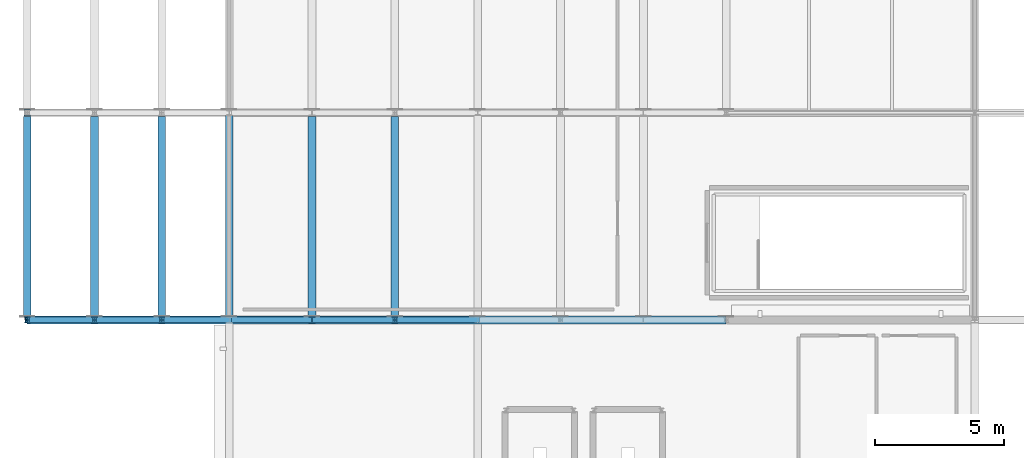
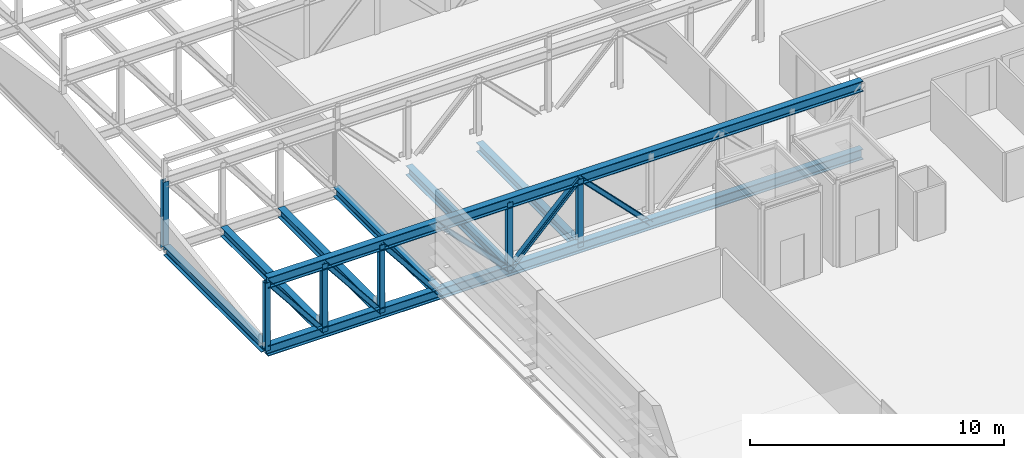
# One storey, part 12 of 34: 12 members, 8 beams.
"""IFC4 building model written with IfcOpenShell, lengths in metres."""

from ifc_helpers import new_model, si_unit, direction, frame, origin, origin_2d, place, context, subcontext, project, spatial, i_section, extrude, material, material_profile, profile_set, type_object, element, save


model = new_model("IFC4")

# Units and contexts
model_context = context("Model", 3, precision=1e-05, world=origin(), true_north=direction((0.0, 1.0)))
body_context = subcontext(model_context, "Body", "Model", "MODEL_VIEW")
ifc_project = project(units=[si_unit("LENGTHUNIT", "METRE"), si_unit("AREAUNIT", "SQUARE_METRE"), si_unit("VOLUMEUNIT", "CUBIC_METRE"), si_unit("PLANEANGLEUNIT", "RADIAN"), si_unit("MASSUNIT", "GRAM", prefix="KILO")], contexts=[model_context])

# Site, building, storey
site_placement = place(None, origin())
site = spatial("IfcSite", under=ifc_project, at=site_placement, CompositionType="ELEMENT")
building_placement = place(site_placement, origin())
building = spatial("IfcBuilding", under=site, at=building_placement, Name="Alderhovde Museum", CompositionType="ELEMENT")
storey_placement = place(building_placement, frame((0.0, 0.0, 25.800048828125)))
storey = spatial("IfcBuildingStorey", under=building, at=storey_placement, Name="L05", CompositionType="ELEMENT", Elevation=25.800048828125)

# Beams
ifc_material_1 = material(Name="Steel S355J2", Category="steel")
ifc_material_profile_1 = material_profile(ifc_material_1, i_section(OverallWidth=0.300048828125, OverallDepth=0.43994140625, WebThickness=0.011474609375, FlangeThickness=0.02099609375, FilletRadius=0.027099609375, at=origin_2d()), Name="HEA 450")
ifc_profile_set_1 = profile_set([ifc_material_profile_1], Name="Steel S355J2")
beam_type_1 = type_object("IfcBeamType", Name="BM-HEA450", PredefinedType="BEAM", material=ifc_profile_set_1)
for number, where, z_axis, x_axis, name in (
    (1, (1.800048828125, 80.14990234375, -0.47998046875), (0.0, 1.0, 0.0), (-1.0, 0.0, 0.0), "L05 Transfer Transverse Beam X=1.8"),
    (2, (4.39990234375, 80.14990234375, -0.47998046875), (0.0, 1.0, 0.0), (-1.0, 0.0, 0.0), "L05 Transfer Transverse Beam X=4.4"),
    (3, (7.0, 80.14990234375, -0.47998046875), (0.0, 1.0, 0.0), (-1.0, 0.0, 0.0), "L05 Transfer Transverse Beam X=7.0"),
):
    element("IfcBeam", number, at=place(storey_placement, frame(where, z_axis=z_axis, x_axis=x_axis)), inside=storey, type_object=beam_type_1, Name=name, PredefinedType="BEAM", context=body_context, shape_type="SweptSolid", body=[
        extrude(i_section(OverallWidth=0.300048828125, OverallDepth=0.43994140625, WebThickness=0.011474609375, FlangeThickness=0.02099609375, FilletRadius=0.027099609375, at=origin_2d()), origin(), (0.0, 0.0, 1.0), 7.7001953125),
    ])
beam_placement = place(storey_placement, frame((9.60009765625, 80.0, -0.47998046875), z_axis=(0.0, 1.0, 0.0), x_axis=(-1.0, 0.0, 0.0)))
element("IfcBeam", 4, at=beam_placement, inside=storey, type_object=beam_type_1, Name="L05 Transfer Transverse Beam X=9.6", PredefinedType="BEAM", context=body_context, shape_type="SweptSolid", body=[
    extrude(i_section(OverallWidth=0.300048828125, OverallDepth=0.43994140625, WebThickness=0.011474609375, FlangeThickness=0.02099609375, FilletRadius=0.027099609375, at=origin_2d()), origin(), (0.0, 0.0, 1.0), 8.0),
])
for number, where, z_axis, x_axis, name in (
    (5, (12.800048828125, 80.14990234375, -0.47998046875), (0.0, 1.0, 0.0), (-1.0, 0.0, 0.0), "L05 Transfer Transverse Beam X=12.8"),
    (6, (16.0, 80.14990234375, -0.47998046875), (0.0, 1.0, 0.0), (-1.0, 0.0, 0.0), "L05 Transfer Transverse Beam X=16.0"),
):
    element("IfcBeam", number, at=place(storey_placement, frame(where, z_axis=z_axis, x_axis=x_axis)), inside=storey, type_object=beam_type_1, Name=name, PredefinedType="BEAM", context=body_context, shape_type="SweptSolid", body=[
        extrude(i_section(OverallWidth=0.300048828125, OverallDepth=0.43994140625, WebThickness=0.011474609375, FlangeThickness=0.02099609375, FilletRadius=0.027099609375, at=origin_2d()), origin(), (0.0, 0.0, 1.0), 7.7001953125),
    ])
ifc_material_2 = material(Name="Steel S355J2", Category="steel")
ifc_material_profile_2 = material_profile(ifc_material_2, i_section(OverallWidth=0.300048828125, OverallDepth=0.5, WebThickness=0.014404296875, FlangeThickness=0.028076171875, FilletRadius=0.027099609375, at=origin_2d()), Name="HEB 500")
ifc_profile_set_2 = profile_set([ifc_material_profile_2], Name="Steel S355J2")
beam_type_2 = type_object("IfcBeamType", Name="BM-HEB500", PredefinedType="BEAM", material=ifc_profile_set_2)
for number, where, z_axis, x_axis, name in (
    (7, (1.800048828125, 80.0, -0.510009765625), (1.0, 0.0, 0.0), (0.0, 1.0, 0.0), "Transfer Truss Y=80 FLR5 Continuous Chord"),
    (8, (1.800048828125, 80.0, 2.75), (1.0, 0.0, 0.0), (0.0, 1.0, 0.0), "Transfer Truss Y=80 TOP Continuous Chord"),
):
    element("IfcBeam", number, at=place(storey_placement, frame(where, z_axis=z_axis, x_axis=x_axis)), inside=storey, type_object=beam_type_2, Name=name, PredefinedType="BEAM", context=body_context, shape_type="SweptSolid", body=[
        extrude(i_section(OverallWidth=0.300048828125, OverallDepth=0.5, WebThickness=0.014404296875, FlangeThickness=0.028076171875, FilletRadius=0.027099609375, at=origin_2d()), origin(), (0.0, 0.0, 1.0), 27.0),
    ])

# Members
ifc_material_3 = material(Name="Steel S355J2", Category="steel")
ifc_material_profile_3 = material_profile(ifc_material_3, i_section(OverallWidth=0.219970703125, OverallDepth=0.2099609375, WebThickness=0.007080078125, FlangeThickness=0.010986328125, FilletRadius=0.01806640625, at=origin_2d()), Name="HEA 220")
ifc_profile_set_3 = profile_set([ifc_material_profile_3], Name="Steel S355J2")
member_type_1 = type_object("IfcMemberType", Name="TR-DG-HEA220", PredefinedType="RAFTER", material=ifc_profile_set_3)
member_placement = place(storey_placement, frame((1.800048828125, 80.0, 2.75), z_axis=(0.623501892836, 0.0, -0.781821840082), x_axis=(0.0, 1.0, 0.0)))
element("IfcMember", 9, at=member_placement, inside=storey, type_object=member_type_1, Name="Transfer Truss Y=80 T3 Diagonal 1", PredefinedType="RAFTER", context=body_context, shape_type="SweptSolid", body=[
    extrude(i_section(OverallWidth=0.219970703125, OverallDepth=0.2099609375, WebThickness=0.007080078125, FlangeThickness=0.010986328125, FilletRadius=0.01806640625, at=origin_2d()), origin(), (0.0, 0.0, 1.0), 4.169677734375),
])
for number, where, z_axis, x_axis, name in (
    (10, (4.39990234375, 80.0, 2.75), (0.623537679463, 0.0, -0.781793298955), (0.0, 1.0, 0.0), "Transfer Truss Y=80 T3 Diagonal 2"),
    (11, (7.0, 80.0, 2.75), (0.623537679463, 0.0, -0.781793298955), (0.0, 1.0, 0.0), "Transfer Truss Y=80 T3 Diagonal 3"),
):
    element("IfcMember", number, at=place(storey_placement, frame(where, z_axis=z_axis, x_axis=x_axis)), inside=storey, type_object=member_type_1, Name=name, PredefinedType="RAFTER", context=body_context, shape_type="SweptSolid", body=[
        extrude(i_section(OverallWidth=0.219970703125, OverallDepth=0.2099609375, WebThickness=0.007080078125, FlangeThickness=0.010986328125, FilletRadius=0.01806640625, at=origin_2d()), origin(), (0.0, 0.0, 1.0), 4.169921875),
    ])
for number, where, z_axis, x_axis, name in (
    (12, (9.60009765625, 80.0, 2.75), (0.700502499188, 0.0, -0.713649948246), (0.0, 1.0, 0.0), "Transfer Truss Y=80 T3 Diagonal 4"),
    (13, (12.800048828125, 80.0, -0.510009765625), (0.700502499188, 0.0, 0.713649948246), (0.0, 1.0, 0.0), "Transfer Truss Y=80 T3 Diagonal 5"),
    (14, (16.0, 80.0, 2.75), (0.700502499188, 0.0, -0.713649948246), (0.0, 1.0, 0.0), "Transfer Truss Y=80 T3 Diagonal 6"),
):
    element("IfcMember", number, at=place(storey_placement, frame(where, z_axis=z_axis, x_axis=x_axis)), inside=storey, type_object=member_type_1, Name=name, PredefinedType="RAFTER", context=body_context, shape_type="SweptSolid", body=[
        extrude(i_section(OverallWidth=0.219970703125, OverallDepth=0.2099609375, WebThickness=0.007080078125, FlangeThickness=0.010986328125, FilletRadius=0.01806640625, at=origin_2d()), origin(), (0.0, 0.0, 1.0), 4.568115234375),
    ])
ifc_material_4 = material(Name="Steel S355J2", Category="steel")
ifc_material_profile_4 = material_profile(ifc_material_4, i_section(OverallWidth=0.239990234375, OverallDepth=0.22998046875, WebThickness=0.007568359375, FlangeThickness=0.011962890625, FilletRadius=0.02099609375, at=origin_2d()), Name="HEA 240")
ifc_profile_set_4 = profile_set([ifc_material_profile_4], Name="Steel S355J2")
member_type_2 = type_object("IfcMemberType", Name="TR-PS-HEA240", PredefinedType="POST", material=ifc_profile_set_4)
for number, where, z_axis, x_axis, name in (
    (15, (1.800048828125, 80.0, -0.510009765625), (0.0, 0.0, 1.0), (1.0, 0.0, 0.0), "Transfer Truss Y=80 T3 Post 1"),
    (16, (4.39990234375, 80.0, -0.510009765625), (0.0, 0.0, 1.0), (1.0, 0.0, 0.0), "Transfer Truss Y=80 T3 Post 2"),
    (17, (7.0, 80.0, -0.510009765625), (0.0, 0.0, 1.0), (1.0, 0.0, 0.0), "Transfer Truss Y=80 T3 Post 3"),
    (18, (12.800048828125, 80.0, -0.510009765625), (0.0, 0.0, 1.0), (1.0, 0.0, 0.0), "Transfer Truss Y=80 T3 Post 5"),
    (19, (16.0, 80.0, -0.510009765625), (0.0, 0.0, 1.0), (1.0, 0.0, 0.0), "Transfer Truss Y=80 T3 Post 6"),
    (20, (1.800048828125, 88.0, -0.510009765625), (0.0, 0.0, 1.0), (1.0, 0.0, 0.0), "Transfer Truss Y=88 T3 Post 1"),
):
    element("IfcMember", number, at=place(storey_placement, frame(where, z_axis=z_axis, x_axis=x_axis)), inside=storey, type_object=member_type_2, Name=name, PredefinedType="POST", context=body_context, shape_type="SweptSolid", body=[
        extrude(i_section(OverallWidth=0.239990234375, OverallDepth=0.22998046875, WebThickness=0.007568359375, FlangeThickness=0.011962890625, FilletRadius=0.02099609375, at=origin_2d()), origin(), (0.0, 0.0, 1.0), 3.260009765625),
    ])

save(model, "model.ifc")
